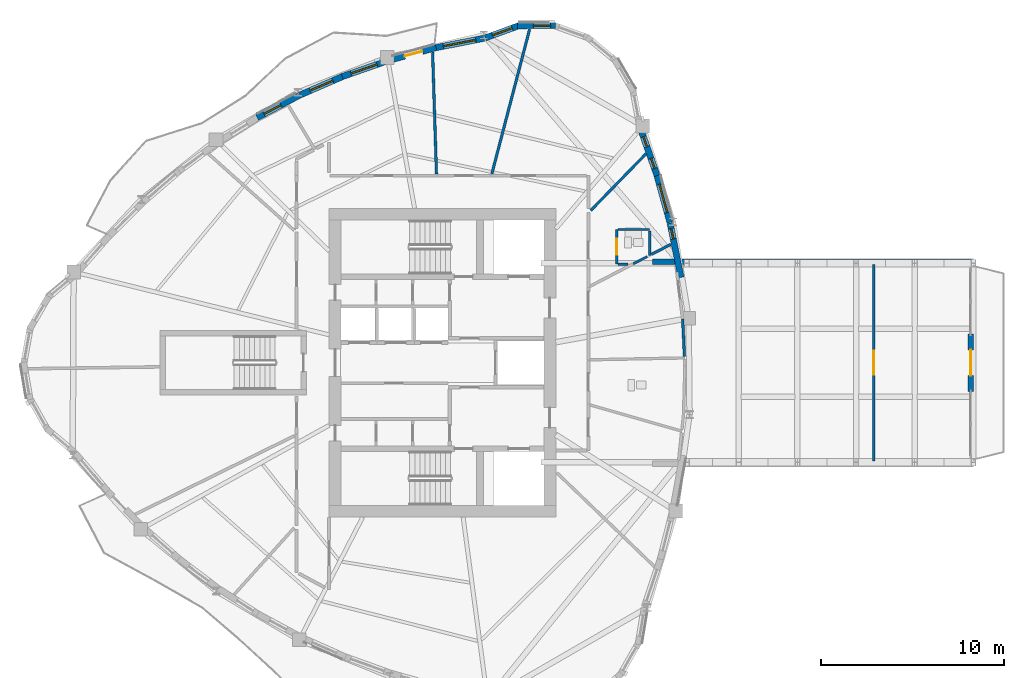
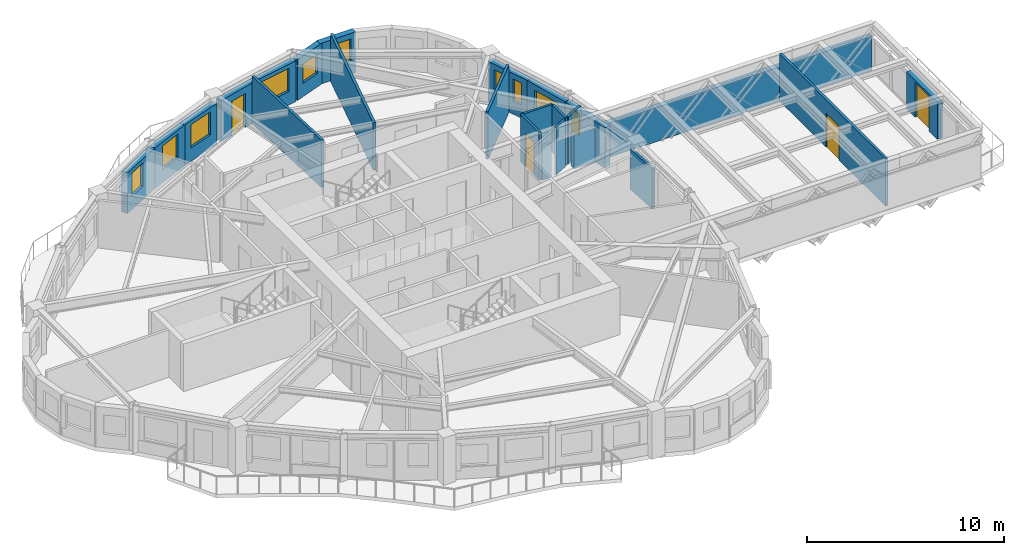
# One storey, part 8 of 13: 23 walls, 10 windows, 4 doors, 14 openings.
"""IFC4 building model written with IfcOpenShell, lengths in metres."""

from ifc_helpers import new_model, si_unit, direction, frame, frame_2d, origin, place, context, subcontext, project, spatial, rectangle, extrude, source, transform, mapped, material, layer, layer_set, type_object, element, fill, save


model = new_model("IFC4")

# Units and contexts
model_context = context("Model", 3, precision=1e-05, world=origin(), true_north=direction((0.0, 1.0)))
body_context = subcontext(model_context, "Body", "Model", "MODEL_VIEW")
ifc_project = project(units=[si_unit("LENGTHUNIT", "METRE"), si_unit("AREAUNIT", "SQUARE_METRE"), si_unit("VOLUMEUNIT", "CUBIC_METRE"), si_unit("PLANEANGLEUNIT", "RADIAN"), si_unit("MASSUNIT", "GRAM", prefix="KILO")], contexts=[model_context])

# Site, building, storey
site_placement = place(None, origin())
site = spatial("IfcSite", under=ifc_project, at=site_placement, CompositionType="ELEMENT")
building_placement = place(site_placement, origin())
building = spatial("IfcBuilding", under=site, at=building_placement, Name="Qafzar Sky-Pleat Residences", CompositionType="ELEMENT")
storey_placement = place(building_placement, frame((0.0, 0.0, 155.39990234375)))
storey = spatial("IfcBuildingStorey", under=building, at=storey_placement, Name="L46", CompositionType="ELEMENT", Elevation=155.39990234375)

# Wall, opening, door
ifc_material_1 = material(Name="Acoustic gypsum plasterboard partition", Category="gypsum")
ifc_layer_1 = layer(ifc_material_1, 0.14501953125)
ifc_layer_set_1 = layer_set([ifc_layer_1], Name="Acoustic gypsum plasterboard partition")
wall_type_1 = type_object("IfcWallType", Name="PART-UNIT-145", PredefinedType="PARTITIONING", material=ifc_layer_set_1)
wall_1_placement = place(storey_placement, frame((53.93798828125, 31.362060546875, 0.0), z_axis=(0.0, 0.0, 1.0), x_axis=(0.0, -1.0, 0.0)))
wall_1 = element("IfcWall", 1, at=wall_1_placement, inside=storey, type_object=wall_type_1, Name="L46 Partition Wall PART-L46-PW-001", PredefinedType="PARTITIONING", context=body_context, shape_type="SweptSolid", body=[
    extrude(rectangle(XDim=10.72412109375, YDim=0.14501953125, at=frame_2d((5.362060546875, 0.0))), origin(), (0.0, 0.0, 1.0), 2.93505859375),
])
opening_1_placement = place(wall_1_placement, frame((4.7119140625, 0.0, 0.0)))
opening_1 = element("IfcOpeningElement", 2, at=opening_1_placement, cuts=wall_1, Name="Opening ID-05", PredefinedType="OPENING", context=body_context, shape_type="SweptSolid", body=[
    extrude(rectangle(XDim=1.300048828125, YDim=2.10009765625, at=frame_2d((0.64990234375, 1.050048828125))), frame((0.0, 0.08251953125, 0.0), z_axis=(0.0, -1.0, 0.0), x_axis=(1.0, 0.0, 0.0)), (0.0, 0.0, 1.0), 0.1650390625),
])
ifc_material_2 = material(Name="Timber-faced fire door", Category="wood")
door_type_1 = type_object("IfcDoorType", Name="DR-LNG-1300", OperationType="DOUBLE_DOOR_SINGLE_SWING", PredefinedType="DOOR", material=ifc_material_2)
shared_shape_1 = source(origin(), body_context, "Body", "SweptSolid", [
    extrude(rectangle(XDim=1.300048828125, YDim=2.10009765625, at=frame_2d((0.64990234375, 1.050048828125))), frame((0.0, 0.02490234375, 0.0), z_axis=(0.0, -1.0, 0.0), x_axis=(1.0, 0.0, 0.0)), (0.0, 0.0, 1.0), 0.050048828125),
])
door_1_placement = place(opening_1_placement, origin())
door_1 = element("IfcDoor", 3, at=door_1_placement, inside=storey, type_object=door_type_1, Name="L46 Panorama Sky Lounge Door", OperationType="DOUBLE_DOOR_SINGLE_SWING", OverallHeight=2.10009765625, OverallWidth=1.300048828125, PredefinedType="DOOR", context=body_context, shape_type="MappedRepresentation", body=[
    mapped(shared_shape_1, transform((0.0, 0.0, 0.0), x_axis=(1.0, 0.0, 0.0), y_axis=(0.0, 1.0, 0.0), z_axis=(0.0, 0.0, 1.0), scale=1.0)),
])
fill(opening_1, door_1)

# Walls
wall_2_placement = place(storey_placement, frame((33.0517578125, 36.336181640625, 0.0), z_axis=(0.0, 0.0, 1.0), x_axis=(0.252838925964, 0.967508386277, 0.0)))
element("IfcWall", 4, at=wall_2_placement, inside=storey, type_object=wall_type_1, Name="L46 Partition Wall PART-L46-PW-017", PredefinedType="PARTITIONING", context=body_context, shape_type="SweptSolid", body=[
    extrude(rectangle(XDim=8.173828125, YDim=0.14501953125, at=frame_2d((4.0869140625, 0.0))), origin(), (0.0, 0.0, 1.0), 2.93505859375),
])
wall_3_placement = place(storey_placement, frame((29.81005859375, 42.9853515625, 0.0), z_axis=(0.0, 0.0, 1.0), x_axis=(0.031815387529, -0.99949376242, 0.0)))
element("IfcWall", 5, at=wall_3_placement, inside=storey, type_object=wall_type_1, Name="L46 Partition Wall PART-L46-PW-020", PredefinedType="PARTITIONING", context=body_context, shape_type="SweptSolid", body=[
    extrude(rectangle(XDim=6.66845703125, YDim=0.14501953125, at=frame_2d((3.334228515625, 0.0))), origin(), (0.0, 0.0, 1.0), 2.93505859375),
])
wall_4_placement = place(storey_placement, frame((38.467529296875, 34.333251953125, 0.0), z_axis=(0.0, 0.0, 1.0), x_axis=(0.697683159601, 0.71640645503, 0.0)))
element("IfcWall", 6, at=wall_4_placement, inside=storey, type_object=wall_type_1, Name="L46 Partition Wall PART-L46-PW-025", PredefinedType="PARTITIONING", context=body_context, shape_type="SweptSolid", body=[
    extrude(rectangle(XDim=4.316162109375, YDim=0.14501953125, at=frame_2d((2.158203125, 0.0))), origin(), (0.0, 0.0, 1.0), 2.93505859375),
])
wall_5_placement = place(storey_placement, frame((43.48779296875, 28.39501953125, 0.0), z_axis=(0.0, 0.0, 1.0), x_axis=(0.047441179451, -0.998874033346, 0.0)))
element("IfcWall", 7, at=wall_5_placement, inside=storey, type_object=wall_type_1, Name="L46 Partition Wall PART-L46-PW-030", PredefinedType="PARTITIONING", context=body_context, shape_type="SweptSolid", body=[
    extrude(rectangle(XDim=2.058349609375, YDim=0.14501953125, at=frame_2d((1.029296875, 0.0))), origin(), (0.0, 0.0, 1.0), 2.503173828125),
])
wall_6_placement = place(storey_placement, frame((41.777587890625, 31.92578125, 0.0), z_axis=(0.0, 0.0, 1.0), x_axis=(0.887683122967, 0.460454854681, 0.0)))
element("IfcWall", 8, at=wall_6_placement, inside=storey, type_object=wall_type_1, Name="L46 Partition Wall PART-L46-PW-039", PredefinedType="PARTITIONING", context=body_context, shape_type="SweptSolid", body=[
    extrude(rectangle(XDim=1.1904296875, YDim=0.14501953125, at=frame_2d((0.59521484375, 0.0))), origin(), (0.0, 0.0, 1.0), 2.93505859375),
])

# Wall, opening, door
ifc_material_3 = material(Name="Moisture-resistant gypsum partition", Category="gypsum")
ifc_layer_2 = layer(ifc_material_3, 0.1298828125)
ifc_layer_set_2 = layer_set([ifc_layer_2], Name="Moisture-resistant gypsum partition")
wall_type_2 = type_object("IfcWallType", Name="PART-WET-130", PredefinedType="PARTITIONING", material=ifc_layer_set_2)
wall_7_placement = place(storey_placement, frame((39.886962890625, 33.291015625, 0.0), z_axis=(0.0, 0.0, 1.0), x_axis=(0.0, -1.0, 0.0)))
wall_7 = element("IfcWall", 9, at=wall_7_placement, inside=storey, type_object=wall_type_2, Name="L46 Partition Wall PART-L46-PW-014", PredefinedType="PARTITIONING", context=body_context, shape_type="SweptSolid", body=[
    extrude(rectangle(XDim=1.89990234375, YDim=0.1298828125, at=frame_2d((0.949951171875, 0.0))), origin(), (0.0, 0.0, 1.0), 2.93505859375),
])
opening_2_placement = place(wall_7_placement, frame((0.510009765625, 0.0, 0.0)))
opening_2 = element("IfcOpeningElement", 10, at=opening_2_placement, cuts=wall_7, Name="Opening ID-07", PredefinedType="OPENING", context=body_context, shape_type="SweptSolid", body=[
    extrude(rectangle(XDim=0.8798828125, YDim=2.050048828125, at=frame_2d((0.43994140625, 1.02490234375))), frame((0.0, 0.074951171875, 0.0), z_axis=(0.0, -1.0, 0.0), x_axis=(1.0, 0.0, 0.0)), (0.0, 0.0, 1.0), 0.14990234375),
])
door_type_2 = type_object("IfcDoorType", Name="DR-WET-880", OperationType="NOTDEFINED", PredefinedType="DOOR", material=ifc_material_2)
shared_shape_2 = source(origin(), body_context, "Body", "SweptSolid", [
    extrude(rectangle(XDim=0.8798828125, YDim=2.050048828125, at=frame_2d((0.43994140625, 1.02490234375))), frame((0.0, 0.02490234375, 0.0), z_axis=(0.0, -1.0, 0.0), x_axis=(1.0, 0.0, 0.0)), (0.0, 0.0, 1.0), 0.050048828125),
])
door_2_placement = place(opening_2_placement, origin())
door_2 = element("IfcDoor", 11, at=door_2_placement, inside=storey, type_object=door_type_2, Name="L46 En-suite Bathroom 1 Door", OperationType="SINGLE_SWING_LEFT", OverallHeight=2.050048828125, OverallWidth=0.8798828125, PredefinedType="DOOR", context=body_context, shape_type="MappedRepresentation", body=[
    mapped(shared_shape_2, transform((0.0, 0.0, 0.0), x_axis=(1.0, 0.0, 0.0), y_axis=(0.0, 1.0, 0.0), z_axis=(0.0, 0.0, 1.0), scale=1.0)),
])
fill(opening_2, door_2)

# Walls
wall_8_placement = place(storey_placement, frame((39.9599609375, 33.291015625, 0.0), z_axis=(0.0, 0.0, 1.0), x_axis=(1.0, 0.0, 0.0)))
element("IfcWall", 12, at=wall_8_placement, inside=storey, type_object=wall_type_2, Name="L46 Partition Wall PART-L46-PW-031", PredefinedType="PARTITIONING", context=body_context, shape_type="SweptSolid", body=[
    extrude(rectangle(XDim=1.72705078125, YDim=0.1298828125, at=frame_2d((0.863525390625, 0.0))), origin(), (0.0, 0.0, 1.0), 2.93505859375),
])
wall_9_placement = place(storey_placement, frame((41.68701171875, 31.87890625, 0.0), z_axis=(0.0, 0.0, 1.0), x_axis=(0.0, 1.0, 0.0)))
element("IfcWall", 13, at=wall_9_placement, inside=storey, type_object=wall_type_2, Name="L46 Partition Wall PART-L46-PW-038", PredefinedType="PARTITIONING", context=body_context, shape_type="SweptSolid", body=[
    extrude(rectangle(XDim=1.339111328125, YDim=0.1298828125, at=frame_2d((0.66943359375, 0.0))), origin(), (0.0, 0.0, 1.0), 2.93505859375),
])
wall_10_placement = place(storey_placement, frame((40.789306640625, 31.4130859375, 0.0), z_axis=(0.0, 0.0, 1.0), x_axis=(0.887895541879, 0.460045113779, 0.0)))
element("IfcWall", 14, at=wall_10_placement, inside=storey, type_object=wall_type_2, Name="L46 Partition Wall PART-L46-PW-042", PredefinedType="PARTITIONING", context=body_context, shape_type="SweptSolid", body=[
    extrude(rectangle(XDim=0.864501953125, YDim=0.1298828125, at=frame_2d((0.43212890625, 0.0))), origin(), (0.0, 0.0, 1.0), 2.93505859375),
])
wall_11_placement = place(storey_placement, frame((39.9599609375, 31.39111328125, 0.0), z_axis=(0.0, 0.0, 1.0), x_axis=(1.0, 0.0, 0.0)))
element("IfcWall", 15, at=wall_11_placement, inside=storey, type_object=wall_type_2, Name="L46 Partition Wall PART-L46-PW-045", PredefinedType="PARTITIONING", context=body_context, shape_type="SweptSolid", body=[
    extrude(rectangle(XDim=0.546142578125, YDim=0.1298828125, at=frame_2d((0.27294921875, 0.0))), origin(), (0.0, 0.0, 1.0), 2.10302734375),
])
ifc_material_4 = material(Name="Precast concrete C40/50 with honed Riyadh limestone", Category="concrete")
ifc_layer_3 = layer(ifc_material_4, 0.300048828125)
ifc_layer_set_3 = layer_set([ifc_layer_3], Name="Precast concrete C40/50 with honed Riyadh limestone")
wall_type_3 = type_object("IfcWallType", Name="WALL-EXT-300", PredefinedType="SOLIDWALL", material=ifc_layer_set_3)
wall_12_placement = place(storey_placement, frame((41.85009765625, 31.52001953125, 0.0), z_axis=(0.0, 0.0, 1.0), x_axis=(1.0, 0.0, 0.0)))
element("IfcWall", 16, at=wall_12_placement, inside=storey, type_object=wall_type_3, Name="L46 SB-4 Side Spandrel Wall L", PredefinedType="SOLIDWALL", context=body_context, shape_type="SweptSolid", body=[
    extrude(rectangle(XDim=17.422607421875, YDim=0.300048828125, at=frame_2d((8.71142578125, 0.0))), origin(), (0.0, 0.0, 1.0), 2.114990234375),
])

# Wall, opening, door
wall_13_placement = place(storey_placement, frame((59.24267578125, 27.56005859375, 0.0), z_axis=(0.0, 0.0, 1.0), x_axis=(0.0, -1.0, 0.0)))
wall_13 = element("IfcWall", 17, at=wall_13_placement, inside=storey, type_object=wall_type_3, Name="L46 SB-4 Prow Portal Wall", PredefinedType="SOLIDWALL", context=body_context, shape_type="SweptSolid", body=[
    extrude(rectangle(XDim=3.1201171875, YDim=0.300048828125, at=frame_2d((1.56005859375, 0.0))), origin(), (0.0, 0.0, 1.0), 2.300048828125),
])
opening_3_placement = place(wall_13_placement, frame((0.860107421875, 0.0, 0.0)))
opening_3 = element("IfcOpeningElement", 18, at=opening_3_placement, cuts=wall_13, Name="Opening ED-07", PredefinedType="OPENING", context=body_context, shape_type="SweptSolid", body=[
    extrude(rectangle(XDim=1.39990234375, YDim=2.14990234375, at=frame_2d((0.699951171875, 1.074951171875))), frame((0.0, 0.16015625, 0.0), z_axis=(0.0, -1.0, 0.0), x_axis=(1.0, 0.0, 0.0)), (0.0, 0.0, 1.0), 0.320068359375),
])
ifc_material_5 = material(Name="Glazed bronze aluminium door", Category="aluminium")
door_type_3 = type_object("IfcDoorType", Name="DR-SB-1400", OperationType="DOUBLE_DOOR_SINGLE_SWING", PredefinedType="DOOR", material=ifc_material_5)
shared_shape_3 = source(origin(), body_context, "Body", "SweptSolid", [
    extrude(rectangle(XDim=1.39990234375, YDim=2.14990234375, at=frame_2d((0.699951171875, 1.074951171875))), frame((0.0, 0.02490234375, 0.0), z_axis=(0.0, -1.0, 0.0), x_axis=(1.0, 0.0, 0.0)), (0.0, 0.0, 1.0), 0.050048828125),
])
door_3_placement = place(opening_3_placement, origin())
door_3 = element("IfcDoor", 19, at=door_3_placement, inside=storey, type_object=door_type_3, Name="L46 SB-4 Tip Balcony Glazed Door", OperationType="DOUBLE_DOOR_SINGLE_SWING", OverallHeight=2.14990234375, OverallWidth=1.39990234375, PredefinedType="DOOR", context=body_context, shape_type="MappedRepresentation", body=[
    mapped(shared_shape_3, transform((0.0, 0.0, 0.0), x_axis=(1.0, 0.0, 0.0), y_axis=(0.0, 1.0, 0.0), z_axis=(0.0, 0.0, 1.0), scale=1.0)),
])
fill(opening_3, door_3)

# Wall, opening, window
ifc_layer_4 = layer(ifc_material_4, 0.340087890625)
ifc_layer_set_4 = layer_set([ifc_layer_4], Name="Precast concrete C40/50 with honed Riyadh limestone")
wall_type_4 = type_object("IfcWallType", Name="WALL-EXT-340", PredefinedType="SOLIDWALL", material=ifc_layer_set_4)
wall_14_placement = place(storey_placement, frame((43.39794921875, 30.664306640625, 0.0), z_axis=(0.0, 0.0, 1.0), x_axis=(-0.196147002944, 0.980574501624, 0.0)))
wall_14 = element("IfcWall", 20, at=wall_14_placement, inside=storey, type_object=wall_type_4, Name="L46 Limestone Facade Wall 30", PredefinedType="SOLIDWALL", context=body_context, shape_type="SweptSolid", body=[
    extrude(rectangle(XDim=3.0419921875, YDim=0.340087890625, at=frame_2d((1.52099609375, 0.0))), origin(), (0.0, 0.0, 1.0), 2.51513671875),
])
opening_4_placement = place(wall_14_placement, frame((2.149169921875, 0.0, 0.820068359375)))
opening_4 = element("IfcOpeningElement", 21, at=opening_4_placement, cuts=wall_14, Name="Opening WN-17", PredefinedType="OPENING", context=body_context, shape_type="SweptSolid", body=[
    extrude(rectangle(XDim=0.580078125, YDim=1.35009765625, at=frame_2d((0.2900390625, 0.675048828125))), frame((0.0, 0.18017578125, 0.0), z_axis=(0.0, -1.0, 0.0), x_axis=(1.0, 0.0, 0.0)), (0.0, 0.0, 1.0), 0.360107421875),
])
ifc_material_6 = material(Name="Solar-control low-E glass in bronze aluminium frame", Category="glass")
window_type_1 = type_object("IfcWindowType", Name="WIN-17", PartitioningType="SINGLE_PANEL", PredefinedType="WINDOW", material=ifc_material_6)
shared_shape_4 = source(origin(), body_context, "Body", "SweptSolid", [
    extrude(rectangle(XDim=0.580078125, YDim=1.35009765625, at=frame_2d((0.2900390625, 0.675048828125))), frame((0.0, 0.030029296875, 0.0), z_axis=(0.0, -1.0, 0.0), x_axis=(1.0, 0.0, 0.0)), (0.0, 0.0, 1.0), 0.06005859375),
])
window_1_placement = place(opening_4_placement, origin())
window_1 = element("IfcWindow", 22, at=window_1_placement, inside=storey, type_object=window_type_1, Name="L46 Punched Facade Window 30-3", OverallHeight=1.35009765625, OverallWidth=0.580078125, PartitioningType="SINGLE_PANEL", PredefinedType="WINDOW", context=body_context, shape_type="MappedRepresentation", body=[
    mapped(shared_shape_4, transform((0.0, 0.0, 0.0), x_axis=(1.0, 0.0, 0.0), y_axis=(0.0, 1.0, 0.0), z_axis=(0.0, 0.0, 1.0), scale=1.0)),
])
fill(opening_4, window_1)

wall_15_placement = place(storey_placement, frame((42.794921875, 33.67431640625, 0.0), z_axis=(0.0, 0.0, 1.0), x_axis=(-0.266404970566, 0.963861188999, 0.0)))
wall_15 = element("IfcWall", 23, at=wall_15_placement, inside=storey, type_object=wall_type_4, Name="L46 Limestone Facade Wall 31", PredefinedType="SOLIDWALL", context=body_context, shape_type="SweptSolid", body=[
    extrude(rectangle(XDim=2.74462890625, YDim=0.340087890625, at=frame_2d((1.372314453125, 0.0))), origin(), (0.0, 0.0, 1.0), 2.51513671875),
])
opening_5_placement = place(wall_15_placement, frame((0.5625, 0.0, 0.820068359375)))
opening_5 = element("IfcOpeningElement", 24, at=opening_5_placement, cuts=wall_15, Name="Opening WN-09", PredefinedType="OPENING", context=body_context, shape_type="SweptSolid", body=[
    extrude(rectangle(XDim=1.60009765625, YDim=1.35009765625, at=frame_2d((0.800048828125, 0.675048828125))), frame((0.0, 0.18017578125, 0.0), z_axis=(0.0, -1.0, 0.0), x_axis=(1.0, 0.0, 0.0)), (0.0, 0.0, 1.0), 0.360107421875),
])
window_type_2 = type_object("IfcWindowType", Name="WIN-09", PartitioningType="DOUBLE_PANEL_VERTICAL", PredefinedType="WINDOW", material=ifc_material_6)
shared_shape_5 = source(origin(), body_context, "Body", "SweptSolid", [
    extrude(rectangle(XDim=1.60009765625, YDim=1.35009765625, at=frame_2d((0.800048828125, 0.675048828125))), frame((0.0, 0.030029296875, 0.0), z_axis=(0.0, -1.0, 0.0), x_axis=(1.0, 0.0, 0.0)), (0.0, 0.0, 1.0), 0.06005859375),
])
window_2_placement = place(opening_5_placement, origin())
window_2 = element("IfcWindow", 25, at=window_2_placement, inside=storey, type_object=window_type_2, Name="L46 Punched Facade Window 31", OverallHeight=1.35009765625, OverallWidth=1.60009765625, PartitioningType="SINGLE_PANEL", PredefinedType="WINDOW", context=body_context, shape_type="MappedRepresentation", body=[
    mapped(shared_shape_5, transform((0.0, 0.0, 0.0), x_axis=(1.0, 0.0, 0.0), y_axis=(0.0, 1.0, 0.0), z_axis=(0.0, 0.0, 1.0), scale=1.0)),
])
fill(opening_5, window_2)

# Wall, openings, windows
wall_16_placement = place(storey_placement, frame((42.090087890625, 36.236083984375, 0.0), z_axis=(0.0, 0.0, 1.0), x_axis=(-0.332705243691, 0.943030869495, 0.0)))
wall_16 = element("IfcWall", 26, at=wall_16_placement, inside=storey, type_object=wall_type_4, Name="L46 Limestone Facade Wall 32", PredefinedType="SOLIDWALL", context=body_context, shape_type="SweptSolid", body=[
    extrude(rectangle(XDim=2.668212890625, YDim=0.340087890625, at=frame_2d((1.333984375, 0.0))), origin(), (0.0, 0.0, 1.0), 2.51513671875),
])
opening_6_placement = place(wall_16_placement, frame((0.41748046875, 0.0, 0.820068359375)))
opening_6 = element("IfcOpeningElement", 27, at=opening_6_placement, cuts=wall_16, Name="Opening WN-17", PredefinedType="OPENING", context=body_context, shape_type="SweptSolid", body=[
    extrude(rectangle(XDim=0.580078125, YDim=1.35009765625, at=frame_2d((0.2900390625, 0.675048828125))), frame((0.0, 0.18017578125, 0.0), z_axis=(0.0, -1.0, 0.0), x_axis=(1.0, 0.0, 0.0)), (0.0, 0.0, 1.0), 0.360107421875),
])
opening_7_placement = place(wall_16_placement, frame((1.676513671875, 0.0, 0.820068359375)))
opening_7 = element("IfcOpeningElement", 28, at=opening_7_placement, cuts=wall_16, Name="Opening WN-17", PredefinedType="OPENING", context=body_context, shape_type="SweptSolid", body=[
    extrude(rectangle(XDim=0.580078125, YDim=1.35009765625, at=frame_2d((0.2900390625, 0.675048828125))), frame((0.0, 0.18017578125, 0.0), z_axis=(0.0, -1.0, 0.0), x_axis=(1.0, 0.0, 0.0)), (0.0, 0.0, 1.0), 0.360107421875),
])
window_3_placement = place(opening_6_placement, origin())
window_3 = element("IfcWindow", 29, at=window_3_placement, inside=storey, type_object=window_type_1, Name="L46 Punched Facade Window 32", OverallHeight=1.35009765625, OverallWidth=0.580078125, PartitioningType="SINGLE_PANEL", PredefinedType="WINDOW", context=body_context, shape_type="MappedRepresentation", body=[
    mapped(shared_shape_4, transform((0.0, 0.0, 0.0), x_axis=(1.0, 0.0, 0.0), y_axis=(0.0, 1.0, 0.0), z_axis=(0.0, 0.0, 1.0), scale=1.0)),
])
fill(opening_6, window_3)
window_4_placement = place(opening_7_placement, origin())
window_4 = element("IfcWindow", 30, at=window_4_placement, inside=storey, type_object=window_type_1, Name="L46 Punched Facade Window 32-2", OverallHeight=1.35009765625, OverallWidth=0.580078125, PartitioningType="SINGLE_PANEL", PredefinedType="WINDOW", context=body_context, shape_type="MappedRepresentation", body=[
    mapped(shared_shape_4, transform((0.0, 0.0, 0.0), x_axis=(1.0, 0.0, 0.0), y_axis=(0.0, 1.0, 0.0), z_axis=(0.0, 0.0, 1.0), scale=1.0)),
])
fill(opening_7, window_4)

# Wall, opening, window
wall_17_placement = place(storey_placement, frame((36.538330078125, 44.44384765625, 0.0), z_axis=(0.0, 0.0, 1.0), x_axis=(-0.999997247411, -0.002346309825, 0.0)))
wall_17 = element("IfcWall", 31, at=wall_17_placement, inside=storey, type_object=wall_type_4, Name="L46 Limestone Facade Wall 37", PredefinedType="SOLIDWALL", context=body_context, shape_type="SweptSolid", body=[
    extrude(rectangle(XDim=2.0810546875, YDim=0.340087890625, at=frame_2d((1.04052734375, 0.0))), origin(), (0.0, 0.0, 1.0), 2.51513671875),
])
opening_8_placement = place(wall_17_placement, frame((0.2705078125, 0.0, 0.820068359375)))
opening_8 = element("IfcOpeningElement", 32, at=opening_8_placement, cuts=wall_17, Name="Opening WN-12", PredefinedType="OPENING", context=body_context, shape_type="SweptSolid", body=[
    extrude(rectangle(XDim=0.949951171875, YDim=1.35009765625, at=frame_2d((0.47509765625, 0.675048828125))), frame((0.0, 0.18017578125, 0.0), z_axis=(0.0, -1.0, 0.0), x_axis=(1.0, 0.0, 0.0)), (0.0, 0.0, 1.0), 0.360107421875),
])
window_type_3 = type_object("IfcWindowType", Name="WIN-12", PartitioningType="SINGLE_PANEL", PredefinedType="WINDOW", material=ifc_material_6)
shared_shape_6 = source(origin(), body_context, "Body", "SweptSolid", [
    extrude(rectangle(XDim=0.949951171875, YDim=1.35009765625, at=frame_2d((0.47509765625, 0.675048828125))), frame((0.0, 0.030029296875, 0.0), z_axis=(0.0, -1.0, 0.0), x_axis=(1.0, 0.0, 0.0)), (0.0, 0.0, 1.0), 0.06005859375),
])
window_5_placement = place(opening_8_placement, origin())
window_5 = element("IfcWindow", 33, at=window_5_placement, inside=storey, type_object=window_type_3, Name="L46 Punched Facade Window 37", OverallHeight=1.35009765625, OverallWidth=0.949951171875, PartitioningType="SINGLE_PANEL", PredefinedType="WINDOW", context=body_context, shape_type="MappedRepresentation", body=[
    mapped(shared_shape_6, transform((0.0, 0.0, 0.0), x_axis=(1.0, 0.0, 0.0), y_axis=(0.0, 1.0, 0.0), z_axis=(0.0, 0.0, 1.0), scale=1.0)),
])
fill(opening_8, window_5)

wall_18_placement = place(storey_placement, frame((34.5888671875, 44.46240234375, 0.0), z_axis=(0.0, 0.0, 1.0), x_axis=(-0.939387553708, -0.342857148007, 0.0)))
wall_18 = element("IfcWall", 34, at=wall_18_placement, inside=storey, type_object=wall_type_4, Name="L46 Limestone Facade Wall 38", PredefinedType="SOLIDWALL", context=body_context, shape_type="SweptSolid", body=[
    extrude(rectangle(XDim=2.02294921875, YDim=0.340087890625, at=frame_2d((1.011474609375, 0.0))), origin(), (0.0, 0.0, 1.0), 2.51513671875),
])
opening_9_placement = place(wall_18_placement, frame((0.446533203125, 0.0, 0.820068359375)))
opening_9 = element("IfcOpeningElement", 35, at=opening_9_placement, cuts=wall_18, Name="Opening WN-16", PredefinedType="OPENING", context=body_context, shape_type="SweptSolid", body=[
    extrude(rectangle(XDim=1.14990234375, YDim=1.199951171875, at=frame_2d((0.574951171875, 0.60009765625))), frame((0.0, 0.18017578125, 0.0), z_axis=(0.0, -1.0, 0.0), x_axis=(1.0, 0.0, 0.0)), (0.0, 0.0, 1.0), 0.360107421875),
])
window_type_4 = type_object("IfcWindowType", Name="WIN-16", PartitioningType="SINGLE_PANEL", PredefinedType="WINDOW", material=ifc_material_6)
shared_shape_7 = source(origin(), body_context, "Body", "SweptSolid", [
    extrude(rectangle(XDim=1.14990234375, YDim=1.199951171875, at=frame_2d((0.574951171875, 0.60009765625))), frame((0.0, 0.030029296875, 0.0), z_axis=(0.0, -1.0, 0.0), x_axis=(1.0, 0.0, 0.0)), (0.0, 0.0, 1.0), 0.06005859375),
])
window_6_placement = place(opening_9_placement, origin())
window_6 = element("IfcWindow", 36, at=window_6_placement, inside=storey, type_object=window_type_4, Name="L46 Punched Facade Window 38", OverallHeight=1.199951171875, OverallWidth=1.14990234375, PartitioningType="SINGLE_PANEL", PredefinedType="WINDOW", context=body_context, shape_type="MappedRepresentation", body=[
    mapped(shared_shape_7, transform((0.0, 0.0, 0.0), x_axis=(1.0, 0.0, 0.0), y_axis=(0.0, 1.0, 0.0), z_axis=(0.0, 0.0, 1.0), scale=1.0)),
])
fill(opening_9, window_6)

wall_19_placement = place(storey_placement, frame((32.62451171875, 43.7509765625, 0.0), z_axis=(0.0, 0.0, 1.0), x_axis=(-0.981232663103, -0.192827541756, 0.0)))
wall_19 = element("IfcWall", 37, at=wall_19_placement, inside=storey, type_object=wall_type_4, Name="L46 Limestone Facade Wall 39", PredefinedType="SOLIDWALL", context=body_context, shape_type="SweptSolid", body=[
    extrude(rectangle(XDim=2.75634765625, YDim=0.340087890625, at=frame_2d((1.378173828125, 0.0))), origin(), (0.0, 0.0, 1.0), 2.51513671875),
])
opening_10_placement = place(wall_19_placement, frame((0.468017578125, 0.0, 0.820068359375)))
opening_10 = element("IfcOpeningElement", 38, at=opening_10_placement, cuts=wall_19, Name="Opening WN-01", PredefinedType="OPENING", context=body_context, shape_type="SweptSolid", body=[
    extrude(rectangle(XDim=1.800048828125, YDim=1.449951171875, at=frame_2d((0.89990234375, 0.72509765625))), frame((0.0, 0.18017578125, 0.0), z_axis=(0.0, -1.0, 0.0), x_axis=(1.0, 0.0, 0.0)), (0.0, 0.0, 1.0), 0.360107421875),
])
window_type_5 = type_object("IfcWindowType", Name="WIN-01", PartitioningType="DOUBLE_PANEL_VERTICAL", PredefinedType="WINDOW", material=ifc_material_6)
shared_shape_8 = source(origin(), body_context, "Body", "SweptSolid", [
    extrude(rectangle(XDim=1.800048828125, YDim=1.449951171875, at=frame_2d((0.89990234375, 0.72509765625))), frame((0.0, 0.030029296875, 0.0), z_axis=(0.0, -1.0, 0.0), x_axis=(1.0, 0.0, 0.0)), (0.0, 0.0, 1.0), 0.06005859375),
])
window_7_placement = place(opening_10_placement, origin())
window_7 = element("IfcWindow", 39, at=window_7_placement, inside=storey, type_object=window_type_5, Name="L46 Punched Facade Window 39", OverallHeight=1.449951171875, OverallWidth=1.800048828125, PartitioningType="SINGLE_PANEL", PredefinedType="WINDOW", context=body_context, shape_type="MappedRepresentation", body=[
    mapped(shared_shape_8, transform((0.0, 0.0, 0.0), x_axis=(1.0, 0.0, 0.0), y_axis=(0.0, 1.0, 0.0), z_axis=(0.0, 0.0, 1.0), scale=1.0)),
])
fill(opening_10, window_7)

# Wall, opening, door
wall_20_placement = place(storey_placement, frame((30.005615234375, 43.239501953125, 0.0), z_axis=(0.0, 0.0, 1.0), x_axis=(-0.965448248334, -0.260594857563, 0.0)))
wall_20 = element("IfcWall", 40, at=wall_20_placement, inside=storey, type_object=wall_type_4, Name="L46 Limestone Facade Wall 40", PredefinedType="SOLIDWALL", context=body_context, shape_type="SweptSolid", body=[
    extrude(rectangle(XDim=2.564208984375, YDim=0.340087890625, at=frame_2d((1.2822265625, 0.0))), origin(), (0.0, 0.0, 1.0), 2.51513671875),
])
opening_11_placement = place(wall_20_placement, frame((0.781982421875, 0.0, 0.0)))
opening_11 = element("IfcOpeningElement", 41, at=opening_11_placement, cuts=wall_20, Name="Opening ED-05", PredefinedType="OPENING", context=body_context, shape_type="SweptSolid", body=[
    extrude(rectangle(XDim=1.0, YDim=2.10009765625, at=frame_2d((0.5, 1.050048828125))), frame((0.0, 0.18017578125, 0.0), z_axis=(0.0, -1.0, 0.0), x_axis=(1.0, 0.0, 0.0)), (0.0, 0.0, 1.0), 0.360107421875),
])
door_type_4 = type_object("IfcDoorType", Name="DR-BAL-1000", OperationType="NOTDEFINED", PredefinedType="DOOR", material=ifc_material_5)
shared_shape_9 = source(origin(), body_context, "Body", "SweptSolid", [
    extrude(rectangle(XDim=1.0, YDim=2.10009765625, at=frame_2d((0.5, 1.050048828125))), frame((0.0, 0.02490234375, 0.0), z_axis=(0.0, -1.0, 0.0), x_axis=(1.0, 0.0, 0.0)), (0.0, 0.0, 1.0), 0.050048828125),
])
door_4_placement = place(opening_11_placement, origin())
door_4 = element("IfcDoor", 42, at=door_4_placement, inside=storey, type_object=door_type_4, Name="L46 Glazed Balcony Door 1", OperationType="SINGLE_SWING_LEFT", OverallHeight=2.10009765625, OverallWidth=1.0, PredefinedType="DOOR", context=body_context, shape_type="MappedRepresentation", body=[
    mapped(shared_shape_9, transform((0.0, 0.0, 0.0), x_axis=(1.0, 0.0, 0.0), y_axis=(0.0, 1.0, 0.0), z_axis=(0.0, 0.0, 1.0), scale=1.0)),
])
fill(opening_11, door_4)

# Wall, opening, window
wall_21_placement = place(storey_placement, frame((27.245849609375, 42.4833984375, 0.0), z_axis=(0.0, 0.0, 1.0), x_axis=(-0.944132901201, -0.32956496305, 0.0)))
wall_21 = element("IfcWall", 43, at=wall_21_placement, inside=storey, type_object=wall_type_4, Name="L46 Limestone Facade Wall 41", PredefinedType="SOLIDWALL", context=body_context, shape_type="SweptSolid", body=[
    extrude(rectangle(XDim=2.520263671875, YDim=0.340087890625, at=frame_2d((1.26025390625, 0.0))), origin(), (0.0, 0.0, 1.0), 2.51513671875),
])
opening_12_placement = place(wall_21_placement, frame((0.505126953125, 0.0, 0.820068359375)))
opening_12 = element("IfcOpeningElement", 44, at=opening_12_placement, cuts=wall_21, Name="Opening WN-03", PredefinedType="OPENING", context=body_context, shape_type="SweptSolid", body=[
    extrude(rectangle(XDim=1.5, YDim=1.449951171875, at=frame_2d((0.75, 0.72509765625))), frame((0.0, 0.18017578125, 0.0), z_axis=(0.0, -1.0, 0.0), x_axis=(1.0, 0.0, 0.0)), (0.0, 0.0, 1.0), 0.360107421875),
])
window_type_6 = type_object("IfcWindowType", Name="WIN-03", PartitioningType="DOUBLE_PANEL_VERTICAL", PredefinedType="WINDOW", material=ifc_material_6)
shared_shape_10 = source(origin(), body_context, "Body", "SweptSolid", [
    extrude(rectangle(XDim=1.5, YDim=1.449951171875, at=frame_2d((0.75, 0.72509765625))), frame((0.0, 0.030029296875, 0.0), z_axis=(0.0, -1.0, 0.0), x_axis=(1.0, 0.0, 0.0)), (0.0, 0.0, 1.0), 0.06005859375),
])
window_8_placement = place(opening_12_placement, origin())
window_8 = element("IfcWindow", 45, at=window_8_placement, inside=storey, type_object=window_type_6, Name="L46 Punched Facade Window 41", OverallHeight=1.449951171875, OverallWidth=1.5, PartitioningType="SINGLE_PANEL", PredefinedType="WINDOW", context=body_context, shape_type="MappedRepresentation", body=[
    mapped(shared_shape_10, transform((0.0, 0.0, 0.0), x_axis=(1.0, 0.0, 0.0), y_axis=(0.0, 1.0, 0.0), z_axis=(0.0, 0.0, 1.0), scale=1.0)),
])
fill(opening_12, window_8)

wall_22_placement = place(storey_placement, frame((24.948974609375, 41.68505859375, 0.0), z_axis=(0.0, 0.0, 1.0), x_axis=(-0.917112921707, -0.398627506373, 0.0)))
wall_22 = element("IfcWall", 46, at=wall_22_placement, inside=storey, type_object=wall_type_4, Name="L46 Limestone Facade Wall 42", PredefinedType="SOLIDWALL", context=body_context, shape_type="SweptSolid", body=[
    extrude(rectangle(XDim=2.62548828125, YDim=0.340087890625, at=frame_2d((1.312744140625, 0.0))), origin(), (0.0, 0.0, 1.0), 2.51513671875),
])
opening_13_placement = place(wall_22_placement, frame((0.647705078125, 0.0, 0.820068359375)))
opening_13 = element("IfcOpeningElement", 47, at=opening_13_placement, cuts=wall_22, Name="Opening WN-04", PredefinedType="OPENING", context=body_context, shape_type="SweptSolid", body=[
    extrude(rectangle(XDim=1.35009765625, YDim=1.449951171875, at=frame_2d((0.675048828125, 0.72509765625))), frame((0.0, 0.18017578125, 0.0), z_axis=(0.0, -1.0, 0.0), x_axis=(1.0, 0.0, 0.0)), (0.0, 0.0, 1.0), 0.360107421875),
])
window_type_7 = type_object("IfcWindowType", Name="WIN-04", PartitioningType="SINGLE_PANEL", PredefinedType="WINDOW", material=ifc_material_6)
shared_shape_11 = source(origin(), body_context, "Body", "SweptSolid", [
    extrude(rectangle(XDim=1.35009765625, YDim=1.449951171875, at=frame_2d((0.675048828125, 0.72509765625))), frame((0.0, 0.030029296875, 0.0), z_axis=(0.0, -1.0, 0.0), x_axis=(1.0, 0.0, 0.0)), (0.0, 0.0, 1.0), 0.06005859375),
])
window_9_placement = place(opening_13_placement, origin())
window_9 = element("IfcWindow", 48, at=window_9_placement, inside=storey, type_object=window_type_7, Name="L46 Punched Facade Window 42", OverallHeight=1.449951171875, OverallWidth=1.35009765625, PartitioningType="SINGLE_PANEL", PredefinedType="WINDOW", context=body_context, shape_type="MappedRepresentation", body=[
    mapped(shared_shape_11, transform((0.0, 0.0, 0.0), x_axis=(1.0, 0.0, 0.0), y_axis=(0.0, 1.0, 0.0), z_axis=(0.0, 0.0, 1.0), scale=1.0)),
])
fill(opening_13, window_9)

wall_23_placement = place(storey_placement, frame((22.5166015625, 40.626708984375, 0.0), z_axis=(0.0, 0.0, 1.0), x_axis=(-0.884374030812, -0.466778934427, 0.0)))
wall_23 = element("IfcWall", 49, at=wall_23_placement, inside=storey, type_object=wall_type_4, Name="L46 Limestone Facade Wall 43", PredefinedType="SOLIDWALL", context=body_context, shape_type="SweptSolid", body=[
    extrude(rectangle(XDim=2.611083984375, YDim=0.340087890625, at=frame_2d((1.3056640625, 0.0))), origin(), (0.0, 0.0, 1.0), 2.51513671875),
])
opening_14_placement = place(wall_23_placement, frame((1.1328125, 0.0, 0.820068359375)))
opening_14 = element("IfcOpeningElement", 50, at=opening_14_placement, cuts=wall_23, Name="Opening WN-06", PredefinedType="OPENING", context=body_context, shape_type="SweptSolid", body=[
    extrude(rectangle(XDim=1.050048828125, YDim=1.449951171875, at=frame_2d((0.52490234375, 0.72509765625))), frame((0.0, 0.18017578125, 0.0), z_axis=(0.0, -1.0, 0.0), x_axis=(1.0, 0.0, 0.0)), (0.0, 0.0, 1.0), 0.360107421875),
])
window_type_8 = type_object("IfcWindowType", Name="WIN-06", PartitioningType="SINGLE_PANEL", PredefinedType="WINDOW", material=ifc_material_6)
shared_shape_12 = source(origin(), body_context, "Body", "SweptSolid", [
    extrude(rectangle(XDim=1.050048828125, YDim=1.449951171875, at=frame_2d((0.52490234375, 0.72509765625))), frame((0.0, 0.030029296875, 0.0), z_axis=(0.0, -1.0, 0.0), x_axis=(1.0, 0.0, 0.0)), (0.0, 0.0, 1.0), 0.06005859375),
])
window_10_placement = place(opening_14_placement, origin())
window_10 = element("IfcWindow", 51, at=window_10_placement, inside=storey, type_object=window_type_8, Name="L46 Punched Facade Window 43-2", OverallHeight=1.449951171875, OverallWidth=1.050048828125, PartitioningType="SINGLE_PANEL", PredefinedType="WINDOW", context=body_context, shape_type="MappedRepresentation", body=[
    mapped(shared_shape_12, transform((0.0, 0.0, 0.0), x_axis=(1.0, 0.0, 0.0), y_axis=(0.0, 1.0, 0.0), z_axis=(0.0, 0.0, 1.0), scale=1.0)),
])
fill(opening_14, window_10)

save(model, "model.ifc")
